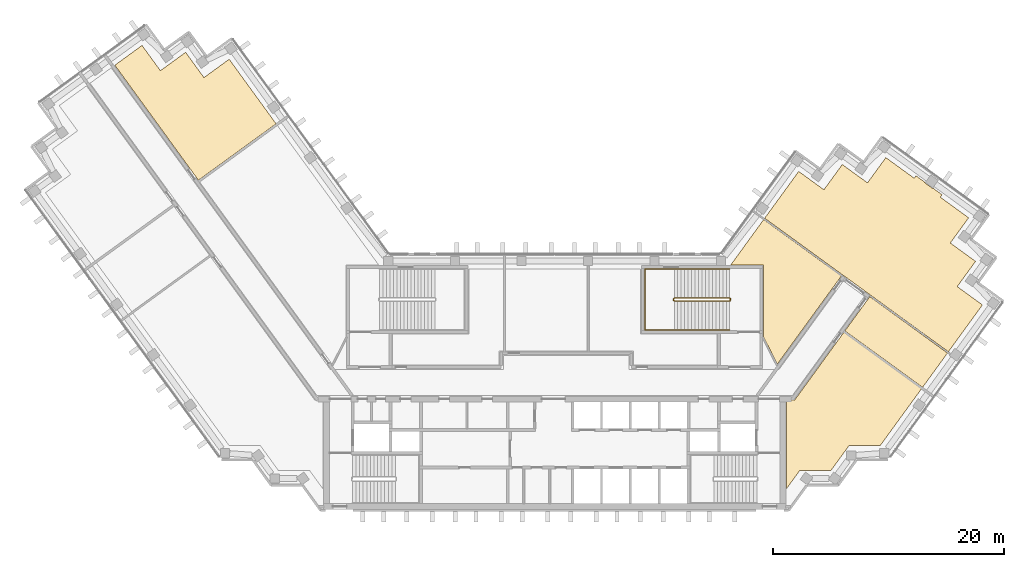
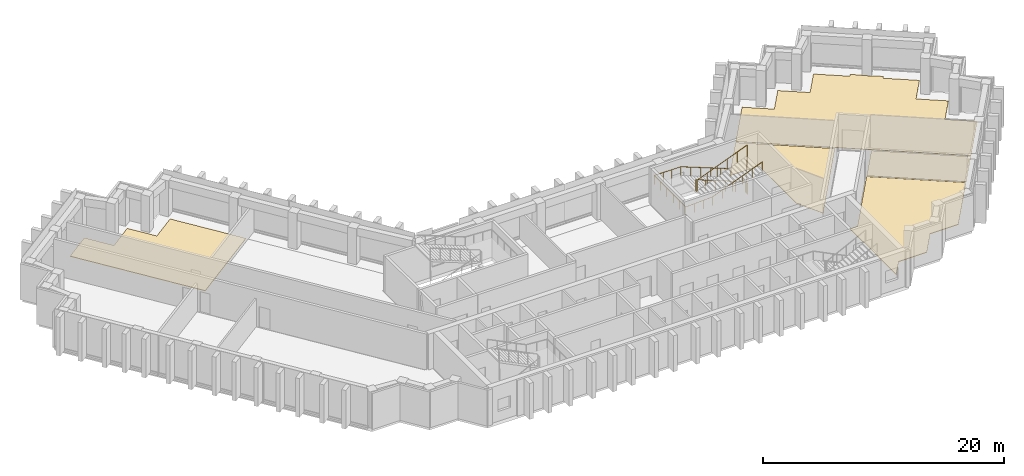
# One storey, part 9 of 9: 5 coverings, 2 railings.
"""IFC4 building model written with IfcOpenShell, lengths in metres."""

from ifc_helpers import new_model, si_unit, direction, frame, origin, origin_2d, place, context, subcontext, project, spatial, polyline, circle, outline, extrude, material, layer, layer_set, type_object, element, save


model = new_model("IFC4")

# Units and contexts
model_context = context("Model", 3, precision=1e-05, world=origin(), true_north=direction((0.0, 1.0)))
body_context = subcontext(model_context, "Body", "Model", "MODEL_VIEW")
ifc_project = project(units=[si_unit("LENGTHUNIT", "METRE"), si_unit("AREAUNIT", "SQUARE_METRE"), si_unit("VOLUMEUNIT", "CUBIC_METRE"), si_unit("PLANEANGLEUNIT", "RADIAN"), si_unit("MASSUNIT", "GRAM", prefix="KILO")], contexts=[model_context])

# Site, building, storey
site_placement = place(None, origin())
site = spatial("IfcSite", under=ifc_project, at=site_placement, CompositionType="ELEMENT")
building_placement = place(site_placement, origin())
building = spatial("IfcBuilding", under=site, at=building_placement, Name="Quipu Civic Tower", CompositionType="ELEMENT")
storey_placement = place(building_placement, frame((0.0, 0.0, 230.0)))
storey = spatial("IfcBuildingStorey", under=building, at=storey_placement, Name="L54", CompositionType="ELEMENT", Elevation=230.0)

# Coverings
ifc_material_1 = material(Name="Carpet tile on raised access floor")
ifc_layer_1 = layer(ifc_material_1, 0.02001953125)
ifc_layer_set_1 = layer_set([ifc_layer_1], Name="Carpet tile on raised access floor")
covering_type_1 = type_object("IfcCoveringType", Name="Carpet tile floor finish 20", PredefinedType="FLOORING", material=ifc_layer_set_1)
covering_1_placement = place(storey_placement, origin())
element("IfcCovering", 1, at=covering_1_placement, inside=storey, type_object=covering_type_1, Name="Carpet tile floor finish 20", PredefinedType="FLOORING", context=body_context, shape_type="SweptSolid", body=[
    extrude(outline(polyline([(15.238037109375, 10.169921875), (18.089111328125, 14.093994140625), (24.81201171875, 9.2109375), (19.27197265625, 1.583984375), (18.070068359375, 3.94189453125), (18.070068359375, 10.1689453125), (15.238037109375, 10.169921875)])), origin(), (0.0, 0.0, 1.0), 0.02001953125),
])
covering_2_placement = place(storey_placement, origin())
element("IfcCovering", 2, at=covering_2_placement, inside=storey, type_object=covering_type_1, Name="Carpet tile floor finish 20", PredefinedType="FLOORING", context=body_context, shape_type="SweptSolid", body=[
    extrude(outline(polyline([(18.172119140625, 14.20703125), (21.116943359375, 18.260986328125), (23.301025390625, 16.675048828125), (24.887939453125, 18.85791015625), (27.073974609375, 17.27197265625), (28.658935546875, 19.455078125), (31.116943359375, 17.6708984375), (31.27099609375, 17.8798828125), (32.032958984375, 17.325927734375), (32.032958984375, 17.324951171875), (32.031005859375, 17.321044921875), (32.030029296875, 17.31591796875), (32.029052734375, 17.31103515625), (32.028076171875, 17.305908203125), (32.028076171875, 17.302001953125), (32.029052734375, 17.297119140625), (32.030029296875, 17.2919921875), (32.031005859375, 17.287109375), (32.032958984375, 17.282958984375), (32.035888671875, 17.278076171875), (32.0380859375, 17.27392578125), (32.041015625, 17.27099609375), (32.044921875, 17.26708984375), (32.049072265625, 17.263916015625), (32.696044921875, 16.7939453125), (32.699951171875, 16.791015625), (32.7041015625, 16.7890625), (32.708984375, 16.787109375), (32.714111328125, 16.785888671875), (32.718994140625, 16.784912109375), (32.722900390625, 16.783935546875), (32.72802734375, 16.783935546875), (32.73291015625, 16.784912109375), (32.738037109375, 16.785888671875), (32.742919921875, 16.787109375), (32.7470703125, 16.7890625), (32.751953125, 16.7919921875), (32.756103515625, 16.7939453125), (32.759033203125, 16.798095703125), (32.760009765625, 16.798095703125), (33.52197265625, 16.2451171875), (33.3701171875, 16.032958984375), (35.826904296875, 14.248046875), (34.240966796875, 12.06396484375), (36.425048828125, 10.47607421875), (34.839111328125, 8.291015625), (37.02197265625, 6.7060546875), (34.077880859375, 2.652099609375), (18.172119140625, 14.20703125)])), origin(), (0.0, 0.0, 1.0), 0.02001953125),
])
ifc_material_2 = material(Name="Ceramic floor tile")
ifc_layer_2 = layer(ifc_material_2, 0.030029296875)
ifc_layer_set_2 = layer_set([ifc_layer_2], Name="Ceramic floor tile")
covering_type_2 = type_object("IfcCoveringType", Name="Ceramic tile floor finish 30", PredefinedType="FLOORING", material=ifc_layer_set_2)
covering_3_placement = place(storey_placement, origin())
element("IfcCovering", 3, at=covering_3_placement, inside=storey, type_object=covering_type_2, Name="Ceramic tile floor finish 30", PredefinedType="FLOORING", context=body_context, shape_type="SweptSolid", body=[
    extrude(outline(polyline([(25.117919921875, 4.4580078125), (27.27197265625, 7.423095703125), (33.9951171875, 2.5390625), (31.841064453125, -0.426025390625), (25.117919921875, 4.4580078125)])), origin(), (0.0, 0.0, 1.0), 0.030029296875),
])
ifc_material_3 = material(Name="Sealed cement screed")
ifc_layer_3 = layer(ifc_material_3, 0.050048828125)
ifc_layer_set_3 = layer_set([ifc_layer_3], Name="Sealed cement screed")
covering_type_3 = type_object("IfcCoveringType", Name="Sealed screed floor finish 50", PredefinedType="FLOORING", material=ifc_layer_set_3)
covering_4_placement = place(storey_placement, origin())
element("IfcCovering", 4, at=covering_4_placement, inside=storey, type_object=covering_type_3, Name="Sealed screed floor finish 50", PredefinedType="FLOORING", context=body_context, shape_type="SweptSolid", body=[
    extrude(outline(polyline([(20.070068359375, -9.195068359375), (20.070068359375, -1.52001953125), (20.77490234375, -1.51904296875), (25.034912109375, 4.344970703125), (31.758056640625, -0.5390625), (28.181884765625, -5.4609375), (25.48193359375, -5.4619140625), (23.89501953125, -7.64599609375), (21.196044921875, -7.64599609375), (20.070068359375, -9.195068359375)])), origin(), (0.0, 0.0, 1.0), 0.050048828125),
])
covering_5_placement = place(storey_placement, origin())
element("IfcCovering", 5, at=covering_5_placement, inside=storey, type_object=covering_type_3, Name="Sealed screed floor finish 50", PredefinedType="FLOORING", context=body_context, shape_type="SweptSolid", body=[
    extrude(outline(polyline([(-38.06689453125, 27.4541015625), (-35.712890625, 29.1640625), (-34.126953125, 26.97998046875), (-31.94091796875, 28.56591796875), (-30.35400390625, 26.383056640625), (-28.169921875, 27.968994140625), (-24.112060546875, 22.382080078125), (-30.8349609375, 17.4990234375), (-38.06689453125, 27.4541015625)])), origin(), (0.0, 0.0, 1.0), 0.050048828125),
])

# Railings
ifc_material_4 = material(Name="Stainless steel", Category="steel")
railing_type_1 = type_object("IfcRailingType", Name="Stair guard 1100", PredefinedType="GUARDRAIL", material=ifc_material_4)
railing_1_placement = place(storey_placement, frame((15.14990234375, 7.300048828125, 0.11767578125)))
element("IfcRailing", 6, at=railing_1_placement, inside=storey, type_object=railing_type_1, Name="Stair 4 guard", PredefinedType="GUARDRAIL", context=body_context, shape_type="SweptSolid", body=[
    extrude(circle(Radius=0.02392578125, at=origin_2d()), frame((0.0, 0.0, 1.076171875), z_axis=(-0.930970042603, 0.0, 0.365095576219), x_axis=(0.0, -1.0, 0.0)), (0.0, 0.0, 1.0), 5.15576171875),
    extrude(circle(Radius=0.02392578125, at=origin_2d()), frame((-4.7998046875, 0.0, 2.95849609375), z_axis=(-0.707106781187, -0.707106781187, 0.0), x_axis=(0.707106781187, -0.707106781187, 0.0)), (0.0, 0.0, 1.0), 0.07080078125),
    extrude(circle(Radius=0.02392578125, at=origin_2d()), frame((-4.849853515625, -0.050048828125, 2.95849609375), z_axis=(0.0, -1.0, 0.0), x_axis=(1.0, 0.0, 0.0)), (0.0, 0.0, 1.0), 0.14990234375),
    extrude(circle(Radius=0.02392578125, at=origin_2d()), frame((-4.849853515625, -0.199951171875, 2.95849609375), z_axis=(0.364463019033, -0.364463019033, 0.856932561824), x_axis=(0.707106781187, 0.707106781187, 0.0)), (0.0, 0.0, 1.0), 0.13720703125),
    extrude(circle(Radius=0.02392578125, at=origin_2d()), frame((-4.7998046875, -0.25, 3.076171875), z_axis=(0.930970042603, 0.0, 0.365095576219), x_axis=(0.0, 1.0, 0.0)), (0.0, 0.0, 1.0), 5.15576171875),
    extrude(circle(Radius=0.02392578125, at=origin_2d()), frame((0.0, -0.25, 4.95849609375), z_axis=(0.012495627992, 0.049921557685, -0.998674970829), x_axis=(-0.970072785993, 0.242814311512, 0.0)), (0.0, 0.0, 1.0), 4.00537109375),
    extrude(circle(Radius=0.02392578125, at=origin_2d()), frame((0.050048828125, -0.050048828125, 0.95849609375), z_axis=(0.0, -1.0, 0.0), x_axis=(1.0, 0.0, 0.0)), (0.0, 0.0, 1.0), 0.14990234375),
    extrude(circle(Radius=0.02099609375, at=origin_2d()), origin(), (0.0, 0.0, 1.0), 1.052001953125),
    extrude(circle(Radius=0.02099609375, at=origin_2d()), frame((-0.9599609375, 0.0, 0.37646484375)), (0.0, 0.0, 1.0), 1.052001953125),
    extrude(circle(Radius=0.02099609375, at=origin_2d()), frame((-1.919921875, 0.0, 0.7529296875)), (0.0, 0.0, 1.0), 1.052001953125),
    extrude(circle(Radius=0.02099609375, at=origin_2d()), frame((-2.8798828125, 0.0, 1.12939453125)), (0.0, 0.0, 1.0), 1.052001953125),
    extrude(circle(Radius=0.02099609375, at=origin_2d()), frame((-3.83984375, 0.0, 1.505859375)), (0.0, 0.0, 1.0), 1.052001953125),
    extrude(circle(Radius=0.02099609375, at=origin_2d()), frame((-4.7998046875, 0.0, 1.88232421875)), (0.0, 0.0, 1.0), 1.052001953125),
    extrude(circle(Radius=0.02099609375, at=origin_2d()), frame((-4.849853515625, -0.050048828125, 1.88232421875)), (0.0, 0.0, 1.0), 1.052001953125),
    extrude(circle(Radius=0.02099609375, at=origin_2d()), frame((-4.849853515625, -0.199951171875, 1.88232421875)), (0.0, 0.0, 1.0), 1.052001953125),
    extrude(circle(Radius=0.02099609375, at=origin_2d()), frame((-4.7998046875, -0.25, 2.0)), (0.0, 0.0, 1.0), 1.052001953125),
    extrude(circle(Radius=0.02099609375, at=origin_2d()), frame((-3.83984375, -0.25, 2.37646484375)), (0.0, 0.0, 1.0), 1.052001953125),
    extrude(circle(Radius=0.02099609375, at=origin_2d()), frame((-2.8798828125, -0.25, 2.7529296875)), (0.0, 0.0, 1.0), 1.052001953125),
    extrude(circle(Radius=0.02099609375, at=origin_2d()), frame((-1.919921875, -0.25, 3.12939453125)), (0.0, 0.0, 1.0), 1.052001953125),
    extrude(circle(Radius=0.02099609375, at=origin_2d()), frame((-0.9599609375, -0.25, 3.505859375)), (0.0, 0.0, 1.0), 1.052001953125),
    extrude(circle(Radius=0.02099609375, at=origin_2d()), frame((0.0, -0.25, 3.88232421875)), (0.0, 0.0, 1.0), 1.052001953125),
    extrude(circle(Radius=0.02099609375, at=origin_2d()), frame((0.012451171875, -0.199951171875, 2.88232421875)), (0.0, 0.0, 1.0), 1.052001953125),
    extrude(circle(Radius=0.02099609375, at=origin_2d()), frame((0.02490234375, -0.14990234375, 1.88232421875)), (0.0, 0.0, 1.0), 1.052001953125),
    extrude(circle(Radius=0.02099609375, at=origin_2d()), frame((0.03759765625, -0.10009765625, 0.88232421875)), (0.0, 0.0, 1.0), 1.052001953125),
    extrude(circle(Radius=0.02099609375, at=origin_2d()), frame((0.050048828125, -0.050048828125, -0.11767578125)), (0.0, 0.0, 1.0), 1.052001953125),
    extrude(circle(Radius=0.02099609375, at=origin_2d()), frame((0.050048828125, -0.199951171875, -0.11767578125)), (0.0, 0.0, 1.0), 1.052001953125),
])
ifc_material_5 = material(Name="Stainless steel", Category="steel")
railing_type_2 = type_object("IfcRailingType", Name="Stair handrail", PredefinedType="HANDRAIL", material=ifc_material_5)
railing_2_placement = place(storey_placement, frame((15.14990234375, 9.800048828125, 0.11767578125)))
element("IfcRailing", 7, at=railing_2_placement, inside=storey, type_object=railing_type_2, Name="Stair 4 handrail", PredefinedType="HANDRAIL", context=body_context, shape_type="SweptSolid", body=[
    extrude(circle(Radius=0.02392578125, at=origin_2d()), frame((0.0, 0.0, 0.8759765625), z_axis=(-0.930970042603, 0.0, 0.365095576219), x_axis=(0.0, -1.0, 0.0)), (0.0, 0.0, 1.0), 5.15576171875),
    extrude(circle(Radius=0.02392578125, at=origin_2d()), frame((-4.7998046875, 0.0, 2.75830078125), z_axis=(-1.0, 0.0, 0.0), x_axis=(0.0, -1.0, 0.0)), (0.0, 0.0, 1.0), 2.550048828125),
    extrude(circle(Radius=0.02392578125, at=origin_2d()), frame((-7.349853515625, 0.0, 2.75830078125), z_axis=(0.0, -1.0, 0.0), x_axis=(1.0, 0.0, 0.0)), (0.0, 0.0, 1.0), 5.25),
    extrude(circle(Radius=0.02392578125, at=origin_2d()), frame((-7.349853515625, -5.25, 2.75830078125), z_axis=(0.998936948642, 0.0, 0.04609742549), x_axis=(0.0, 1.0, 0.0)), (0.0, 0.0, 1.0), 2.552734375),
    extrude(circle(Radius=0.02392578125, at=origin_2d()), frame((-4.7998046875, -5.25, 2.8759765625), z_axis=(0.930970042603, 0.0, 0.365095576219), x_axis=(0.0, 1.0, 0.0)), (0.0, 0.0, 1.0), 5.15576171875),
    extrude(circle(Radius=0.02099609375, at=origin_2d()), origin(), (0.0, 0.0, 1.0), 0.851806640625),
    extrude(circle(Radius=0.02099609375, at=origin_2d()), frame((-0.9599609375, 0.0, 0.37646484375)), (0.0, 0.0, 1.0), 0.851806640625),
    extrude(circle(Radius=0.02099609375, at=origin_2d()), frame((-1.919921875, 0.0, 0.7529296875)), (0.0, 0.0, 1.0), 0.851806640625),
    extrude(circle(Radius=0.02099609375, at=origin_2d()), frame((-2.8798828125, 0.0, 1.12939453125)), (0.0, 0.0, 1.0), 0.851806640625),
    extrude(circle(Radius=0.02099609375, at=origin_2d()), frame((-3.83984375, 0.0, 1.505859375)), (0.0, 0.0, 1.0), 0.851806640625),
    extrude(circle(Radius=0.02099609375, at=origin_2d()), frame((-4.7998046875, 0.0, 1.88232421875)), (0.0, 0.0, 1.0), 0.851806640625),
    extrude(circle(Radius=0.02099609375, at=origin_2d()), frame((-5.64990234375, 0.0, 1.88232421875)), (0.0, 0.0, 1.0), 0.851806640625),
    extrude(circle(Radius=0.02099609375, at=origin_2d()), frame((-6.499755859375, 0.0, 1.88232421875)), (0.0, 0.0, 1.0), 0.851806640625),
    extrude(circle(Radius=0.02099609375, at=origin_2d()), frame((-7.349853515625, 0.0, 1.88232421875)), (0.0, 0.0, 1.0), 0.851806640625),
    extrude(circle(Radius=0.02099609375, at=origin_2d()), frame((-7.349853515625, -1.050048828125, 1.88232421875)), (0.0, 0.0, 1.0), 0.851806640625),
    extrude(circle(Radius=0.02099609375, at=origin_2d()), frame((-7.349853515625, -2.10009765625, 1.88232421875)), (0.0, 0.0, 1.0), 0.851806640625),
    extrude(circle(Radius=0.02099609375, at=origin_2d()), frame((-7.349853515625, -3.14990234375, 1.88232421875)), (0.0, 0.0, 1.0), 0.851806640625),
    extrude(circle(Radius=0.02099609375, at=origin_2d()), frame((-7.349853515625, -4.199951171875, 1.88232421875)), (0.0, 0.0, 1.0), 0.851806640625),
    extrude(circle(Radius=0.02099609375, at=origin_2d()), frame((-7.349853515625, -5.25, 1.88232421875)), (0.0, 0.0, 1.0), 0.851806640625),
    extrude(circle(Radius=0.02099609375, at=origin_2d()), frame((-6.499755859375, -5.25, 1.921630859375)), (0.0, 0.0, 1.0), 0.851806640625),
    extrude(circle(Radius=0.02099609375, at=origin_2d()), frame((-5.64990234375, -5.25, 1.960693359375)), (0.0, 0.0, 1.0), 0.851806640625),
    extrude(circle(Radius=0.02099609375, at=origin_2d()), frame((-4.7998046875, -5.25, 2.0)), (0.0, 0.0, 1.0), 0.851806640625),
    extrude(circle(Radius=0.02099609375, at=origin_2d()), frame((-3.83984375, -5.25, 2.37646484375)), (0.0, 0.0, 1.0), 0.851806640625),
    extrude(circle(Radius=0.02099609375, at=origin_2d()), frame((-2.8798828125, -5.25, 2.7529296875)), (0.0, 0.0, 1.0), 0.851806640625),
    extrude(circle(Radius=0.02099609375, at=origin_2d()), frame((-1.919921875, -5.25, 3.12939453125)), (0.0, 0.0, 1.0), 0.851806640625),
    extrude(circle(Radius=0.02099609375, at=origin_2d()), frame((-0.9599609375, -5.25, 3.505859375)), (0.0, 0.0, 1.0), 0.851806640625),
    extrude(circle(Radius=0.02099609375, at=origin_2d()), frame((0.0, -5.25, 3.88232421875)), (0.0, 0.0, 1.0), 0.851806640625),
])

save(model, "model.ifc")
